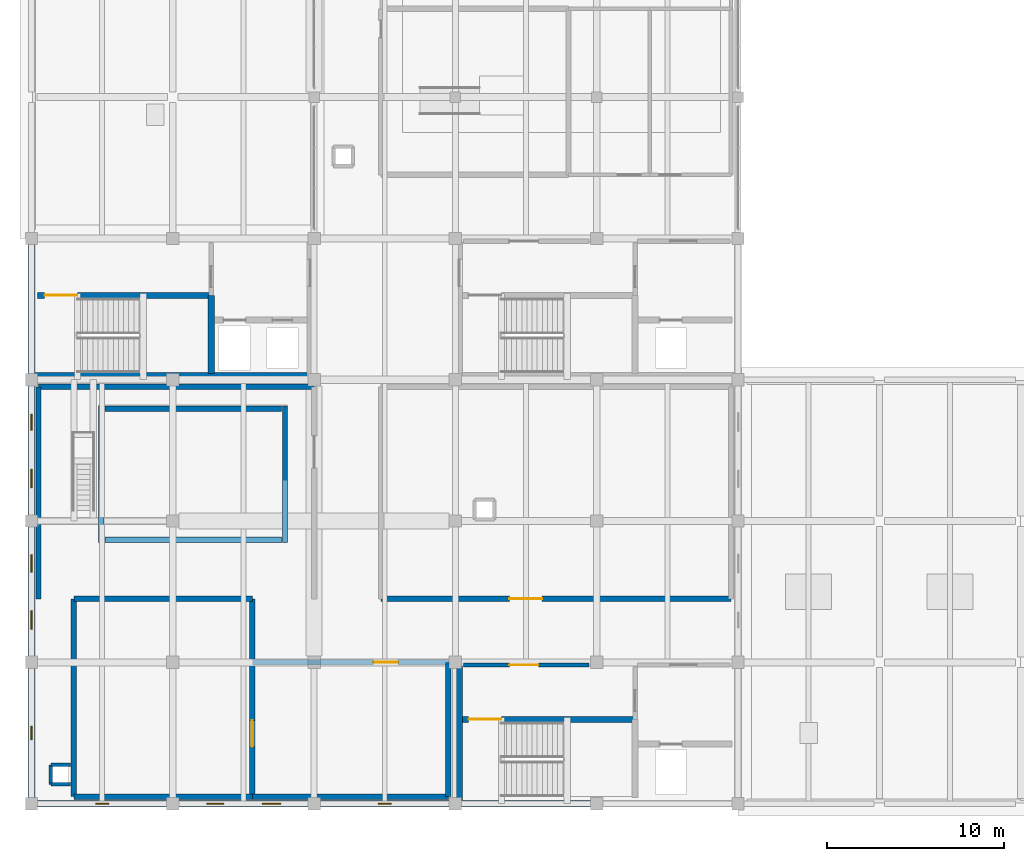
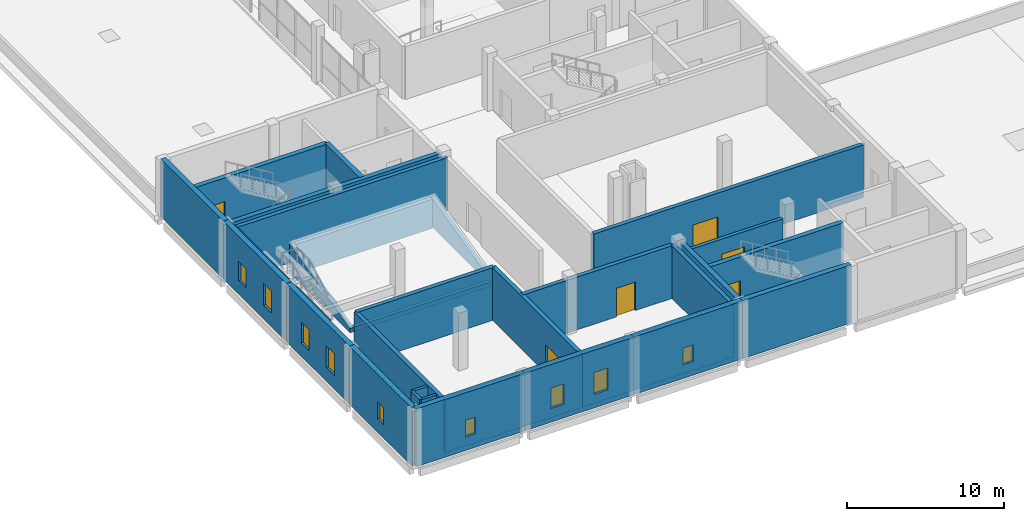
# One storey, part 9 of 14: 31 walls, 9 windows, 6 doors, 15 openings.
"""IFC4 building model written with IfcOpenShell, lengths in metres."""

from ifc_helpers import new_model, si_unit, direction, frame, frame_2d, origin, place, context, subcontext, project, spatial, polyline, rectangle, outline, extrude, material, layer, layer_set, type_object, element, fill, save


model = new_model("IFC4")

# Units and contexts
model_context = context("Model", 3, precision=1e-05, world=origin(), true_north=direction((0.0, 1.0)))
body_context = subcontext(model_context, "Body", "Model", "MODEL_VIEW")
ifc_project = project(units=[si_unit("LENGTHUNIT", "METRE"), si_unit("AREAUNIT", "SQUARE_METRE"), si_unit("VOLUMEUNIT", "CUBIC_METRE"), si_unit("PLANEANGLEUNIT", "RADIAN"), si_unit("MASSUNIT", "GRAM", prefix="KILO")], contexts=[model_context])

# Site, building, storey
site_placement = place(None, origin())
site = spatial("IfcSite", under=ifc_project, at=site_placement, CompositionType="ELEMENT")
building_placement = place(site_placement, origin())
building = spatial("IfcBuilding", under=site, at=building_placement, Name="Qorikala Patio Media Centre", CompositionType="ELEMENT")
storey_placement = place(building_placement, frame((0.0, 0.0, 23.39990234375)))
storey = spatial("IfcBuildingStorey", under=building, at=storey_placement, Name="L05", CompositionType="ELEMENT", Elevation=23.39990234375)

# Walls
ifc_material_1 = material(Name="Concrete C35/45", Category="concrete")
ifc_layer_1 = layer(ifc_material_1, 0.300048828125)
ifc_layer_set_1 = layer_set([ifc_layer_1], Name="Concrete C35/45")
wall_type_1 = type_object("IfcWallType", Name="WL-AC-300", PredefinedType="SHEAR", material=ifc_layer_set_1)
for number, where, z_axis, x_axis, name in (
    (1, (6.949951171875, 17.800048828125, 0.0), (0.0, 0.0, 1.0), (0.0, 1.0, 0.0), "Premiere Cinema Screen 7 Main Raked Seating Tier Raker Cheek Wall W"),
    (2, (17.35009765625, 17.800048828125, 0.0), (0.0, 0.0, 1.0), (0.0, 1.0, 0.0), "Premiere Cinema Screen 7 Main Raked Seating Tier Raker Cheek Wall E"),
):
    element("IfcWall", number, at=place(storey_placement, frame(where, z_axis=z_axis, x_axis=x_axis)), inside=storey, type_object=wall_type_1, Name=name, PredefinedType="SHEAR", context=body_context, shape_type="SweptSolid", body=[
        extrude(outline(polyline([(0.0, 0.0), (7.699951171875, 0.0), (7.699951171875, 2.27001953125), (0.0, 0.320068359375), (0.0, 0.0)])), frame((0.0, 0.14990234375, 0.0), z_axis=(0.0, -1.0, 0.0), x_axis=(1.0, 0.0, 0.0)), (0.0, 0.0, 1.0), 0.300048828125),
    ])
wall_1_placement = place(storey_placement, frame((7.14990234375, 25.35009765625, 0.0), z_axis=(0.0, 0.0, 1.0), x_axis=(1.0, 0.0, 0.0)))
element("IfcWall", 3, at=wall_1_placement, inside=storey, type_object=wall_type_1, Name="Premiere Cinema Screen 7 Main Raked Seating Tier Rear Riser Support Wall", PredefinedType="SHEAR", context=body_context, shape_type="SweptSolid", body=[
    extrude(rectangle(XDim=10.0, YDim=0.300048828125, at=frame_2d((5.0, 0.0))), origin(), (0.0, 0.0, 1.0), 2.27001953125),
])
wall_2_placement = place(storey_placement, frame((7.14990234375, 17.949951171875, 0.0), z_axis=(0.0, 0.0, 1.0), x_axis=(1.0, 0.0, 0.0)))
element("IfcWall", 4, at=wall_2_placement, inside=storey, type_object=wall_type_1, Name="Premiere Cinema Screen 7 Main Raked Seating Tier Front Riser Support Wall", PredefinedType="SHEAR", context=body_context, shape_type="SweptSolid", body=[
    extrude(rectangle(XDim=10.0, YDim=0.300048828125, at=frame_2d((5.0, 0.0))), origin(), (0.0, 0.0, 1.0), 0.320068359375),
])
wall_3_placement = place(storey_placement, frame((5.39990234375, 3.39990234375, 0.0), z_axis=(0.0, 0.0, 1.0), x_axis=(1.0, 0.0, 0.0)))
element("IfcWall", 5, at=wall_3_placement, inside=storey, type_object=wall_type_1, Name="L05 Interior Wall WINT-L05-UTR5-S", PredefinedType="SHEAR", context=body_context, shape_type="SweptSolid", body=[
    extrude(rectangle(XDim=10.10009765625, YDim=0.300048828125, at=frame_2d((5.050048828125, 0.0))), origin(), (0.0, 0.0, 1.0), 4.10009765625),
])

# Wall, opening, door
wall_4_placement = place(storey_placement, frame((15.5, 3.39990234375, 0.0), z_axis=(0.0, 0.0, 1.0), x_axis=(0.0, 1.0, 0.0)))
wall_4 = element("IfcWall", 6, at=wall_4_placement, inside=storey, type_object=wall_type_1, Name="L05 Interior Wall WINT-L05-UTR5-E", PredefinedType="SHEAR", context=body_context, shape_type="SweptSolid", body=[
    extrude(rectangle(XDim=11.2001953125, YDim=0.300048828125, at=frame_2d((5.60009765625, 0.0))), origin(), (0.0, 0.0, 1.0), 4.10009765625),
])
opening_1_placement = place(wall_4_placement, frame((2.81396484375, 0.0, 0.0)))
opening_1 = element("IfcOpeningElement", 7, at=opening_1_placement, cuts=wall_4, Name="Opening D312", PredefinedType="OPENING", context=body_context, shape_type="SweptSolid", body=[
    extrude(rectangle(XDim=1.5, YDim=2.199951171875, at=frame_2d((0.75, 1.10009765625))), frame((0.0, 0.159912109375, 0.0), z_axis=(0.0, -1.0, 0.0), x_axis=(1.0, 0.0, 0.0)), (0.0, 0.0, 1.0), 0.320068359375),
])
ifc_material_2 = material(Name="Powder-Coated Acoustic Fire Steel", Category="steel")
door_type_1 = type_object("IfcDoorType", Name="DR-FD60-150X220", OperationType="DOUBLE_DOOR_SINGLE_SWING", PredefinedType="DOOR", material=ifc_material_2)
door_1_placement = place(opening_1_placement, origin())
door_1 = element("IfcDoor", 8, at=door_1_placement, inside=storey, type_object=door_type_1, Name="Screen 5 Upper Seating Tier Door 101", OperationType="DOUBLE_DOOR_SINGLE_SWING", OverallHeight=2.199951171875, OverallWidth=1.5, PredefinedType="DOOR", context=body_context, shape_type="SweptSolid", body=[
    extrude(rectangle(XDim=1.5, YDim=2.199951171875, at=frame_2d((0.75, 1.10009765625))), frame((0.0, 0.02490234375, 0.0), z_axis=(0.0, -1.0, 0.0), x_axis=(1.0, 0.0, 0.0)), (0.0, 0.0, 1.0), 0.050048828125),
])
fill(opening_1, door_1)

# Walls
wall_5_placement = place(storey_placement, frame((5.39990234375, 14.60009765625, 0.0), z_axis=(0.0, 0.0, 1.0), x_axis=(1.0, 0.0, 0.0)))
element("IfcWall", 9, at=wall_5_placement, inside=storey, type_object=wall_type_1, Name="L05 Interior Wall WINT-L05-UTR5-N", PredefinedType="SHEAR", context=body_context, shape_type="SweptSolid", body=[
    extrude(rectangle(XDim=10.10009765625, YDim=0.300048828125, at=frame_2d((5.050048828125, 0.0))), origin(), (0.0, 0.0, 1.0), 4.10009765625),
])
wall_6_placement = place(storey_placement, frame((5.39990234375, 3.39990234375, 0.0), z_axis=(0.0, 0.0, 1.0), x_axis=(0.0, 1.0, 0.0)))
element("IfcWall", 10, at=wall_6_placement, inside=storey, type_object=wall_type_1, Name="L05 Interior Wall WINT-L05-UTR5-W", PredefinedType="SHEAR", context=body_context, shape_type="SweptSolid", body=[
    extrude(rectangle(XDim=11.2001953125, YDim=0.300048828125, at=frame_2d((5.60009765625, 0.0))), origin(), (0.0, 0.0, 1.0), 4.10009765625),
])
wall_7_placement = place(storey_placement, frame((15.5, 3.39990234375, 0.0), z_axis=(0.0, 0.0, 1.0), x_axis=(1.0, 0.0, 0.0)))
element("IfcWall", 11, at=wall_7_placement, inside=storey, type_object=wall_type_1, Name="L05 Interior Wall WINT-L05-UTR6-S", PredefinedType="SHEAR", context=body_context, shape_type="SweptSolid", body=[
    extrude(rectangle(XDim=11.10009765625, YDim=0.300048828125, at=frame_2d((5.550048828125, 0.0))), origin(), (0.0, 0.0, 1.0), 4.10009765625),
])
wall_8_placement = place(storey_placement, frame((26.60009765625, 3.39990234375, 0.0), z_axis=(0.0, 0.0, 1.0), x_axis=(0.0, 1.0, 0.0)))
element("IfcWall", 12, at=wall_8_placement, inside=storey, type_object=wall_type_1, Name="L05 Interior Wall WINT-L05-UTR6-E", PredefinedType="SHEAR", context=body_context, shape_type="SweptSolid", body=[
    extrude(rectangle(XDim=7.60009765625, YDim=0.300048828125, at=frame_2d((3.800048828125, 0.0))), origin(), (0.0, 0.0, 1.0), 4.10009765625),
])

# Wall, opening, door
wall_9_placement = place(storey_placement, frame((15.5, 11.0, 0.0), z_axis=(0.0, 0.0, 1.0), x_axis=(1.0, 0.0, 0.0)))
wall_9 = element("IfcWall", 13, at=wall_9_placement, inside=storey, type_object=wall_type_1, Name="L05 Interior Wall WINT-L05-UTR6-N", PredefinedType="SHEAR", context=body_context, shape_type="SweptSolid", body=[
    extrude(rectangle(XDim=11.10009765625, YDim=0.300048828125, at=frame_2d((5.550048828125, 0.0))), origin(), (0.0, 0.0, 1.0), 4.10009765625),
])
opening_2_placement = place(wall_9_placement, frame((6.862060546875, 0.0, 0.0)))
opening_2 = element("IfcOpeningElement", 14, at=opening_2_placement, cuts=wall_9, Name="Opening D313", PredefinedType="OPENING", context=body_context, shape_type="SweptSolid", body=[
    extrude(rectangle(XDim=1.39990234375, YDim=2.219970703125, at=frame_2d((0.699951171875, 1.10986328125))), frame((0.0, 0.159912109375, 0.0), z_axis=(0.0, -1.0, 0.0), x_axis=(1.0, 0.0, 0.0)), (0.0, 0.0, 1.0), 0.320068359375),
])
door_type_2 = type_object("IfcDoorType", Name="DR-FD60-140X222", OperationType="DOUBLE_DOOR_SINGLE_SWING", PredefinedType="DOOR", material=ifc_material_2)
door_2_placement = place(opening_2_placement, origin())
door_2 = element("IfcDoor", 15, at=door_2_placement, inside=storey, type_object=door_type_2, Name="Screen 6 Upper Seating Tier Door 102", OperationType="DOUBLE_DOOR_SINGLE_SWING", OverallHeight=2.219970703125, OverallWidth=1.39990234375, PredefinedType="DOOR", context=body_context, shape_type="SweptSolid", body=[
    extrude(rectangle(XDim=1.39990234375, YDim=2.219970703125, at=frame_2d((0.699951171875, 1.10986328125))), frame((0.0, 0.02490234375, 0.0), z_axis=(0.0, -1.0, 0.0), x_axis=(1.0, 0.0, 0.0)), (0.0, 0.0, 1.0), 0.050048828125),
])
fill(opening_2, door_2)

# Walls
wall_10_placement = place(storey_placement, frame((3.39990234375, 26.60009765625, 0.0), z_axis=(0.0, 0.0, 1.0), x_axis=(1.0, 0.0, 0.0)))
element("IfcWall", 16, at=wall_10_placement, inside=storey, type_object=wall_type_1, Name="L05 Interior Wall WINT-L05-SCR7-N", PredefinedType="SHEAR", context=body_context, shape_type="SweptSolid", body=[
    extrude(rectangle(XDim=15.60009765625, YDim=0.300048828125, at=frame_2d((7.800048828125, 0.0))), origin(), (0.0, 0.0, 1.0), 4.10009765625),
])
wall_11_placement = place(storey_placement, frame((3.39990234375, 14.60009765625, 0.0), z_axis=(0.0, 0.0, 1.0), x_axis=(0.0, 1.0, 0.0)))
element("IfcWall", 17, at=wall_11_placement, inside=storey, type_object=wall_type_1, Name="L05 Interior Wall WINT-L05-SCR7-W", PredefinedType="SHEAR", context=body_context, shape_type="SweptSolid", body=[
    extrude(rectangle(XDim=12.0, YDim=0.300048828125, at=frame_2d((6.0, 0.0))), origin(), (0.0, 0.0, 1.0), 4.10009765625),
])

# Wall, opening, door
wall_12_placement = place(storey_placement, frame((22.800048828125, 14.60009765625, 0.0), z_axis=(0.0, 0.0, 1.0), x_axis=(1.0, 0.0, 0.0)))
wall_12 = element("IfcWall", 18, at=wall_12_placement, inside=storey, type_object=wall_type_1, Name="L05 Interior Wall WINT-L05-PRJ5-S", PredefinedType="SHEAR", context=body_context, shape_type="SweptSolid", body=[
    extrude(rectangle(XDim=19.800048828125, YDim=0.300048828125, at=frame_2d((9.89990234375, 0.0))), origin(), (0.0, 0.0, 1.0), 4.10009765625),
])
opening_3_placement = place(wall_12_placement, frame((7.260009765625, 0.0, 0.0)))
opening_3 = element("IfcOpeningElement", 19, at=opening_3_placement, cuts=wall_12, Name="Opening D315", PredefinedType="OPENING", context=body_context, shape_type="SweptSolid", body=[
    extrude(rectangle(XDim=1.85009765625, YDim=2.25, at=frame_2d((0.925048828125, 1.125))), frame((0.0, 0.159912109375, 0.0), z_axis=(0.0, -1.0, 0.0), x_axis=(1.0, 0.0, 0.0)), (0.0, 0.0, 1.0), 0.320068359375),
])
door_type_3 = type_object("IfcDoorType", Name="DR-FD60-185X225", OperationType="DOUBLE_DOOR_SINGLE_SWING", PredefinedType="DOOR", material=ifc_material_2)
door_3_placement = place(opening_3_placement, origin())
door_3 = element("IfcDoor", 20, at=door_3_placement, inside=storey, type_object=door_type_3, Name="Cinema 5 and 6 Projection Booth Door 104", OperationType="DOUBLE_DOOR_SINGLE_SWING", OverallHeight=2.25, OverallWidth=1.85009765625, PredefinedType="DOOR", context=body_context, shape_type="SweptSolid", body=[
    extrude(rectangle(XDim=1.85009765625, YDim=2.25, at=frame_2d((0.925048828125, 1.125))), frame((0.0, 0.02490234375, 0.0), z_axis=(0.0, -1.0, 0.0), x_axis=(1.0, 0.0, 0.0)), (0.0, 0.0, 1.0), 0.050048828125),
])
fill(opening_3, door_3)

# Wall
ifc_layer_2 = layer(ifc_material_1, 0.35009765625)
ifc_layer_set_2 = layer_set([ifc_layer_2], Name="Concrete C35/45")
wall_type_2 = type_object("IfcWallType", Name="WL-CORE-350", PredefinedType="SHEAR", material=ifc_layer_set_2)
wall_13_placement = place(storey_placement, frame((27.22509765625, 3.199951171875, 0.0), z_axis=(0.0, 0.0, 1.0), x_axis=(0.0, 1.0, 0.0)))
element("IfcWall", 21, at=wall_13_placement, inside=storey, type_object=wall_type_2, Name="L05 Interior Wall CW-L05-C1-SW", PredefinedType="SHEAR", context=body_context, shape_type="SweptSolid", body=[
    extrude(rectangle(XDim=7.60009765625, YDim=0.35009765625, at=frame_2d((3.800048828125, 0.0))), origin(), (0.0, 0.0, 1.0), 4.10009765625),
])

# Wall, opening, door
wall_14_placement = place(storey_placement, frame((27.35009765625, 7.77490234375, 0.0), z_axis=(0.0, 0.0, 1.0), x_axis=(1.0, 0.0, 0.0)))
wall_14 = element("IfcWall", 22, at=wall_14_placement, inside=storey, type_object=wall_type_2, Name="L05 Interior Wall CW-L05-C1-SN", PredefinedType="SHEAR", context=body_context, shape_type="SweptSolid", body=[
    extrude(rectangle(XDim=9.824951171875, YDim=0.35009765625, at=frame_2d((4.91259765625, 0.0))), origin(), (0.0, 0.0, 1.0), 4.10009765625),
])
opening_4_placement = place(wall_14_placement, frame((0.39990234375, 0.0, 0.0)))
opening_4 = element("IfcOpeningElement", 23, at=opening_4_placement, cuts=wall_14, Name="Opening D047", PredefinedType="OPENING", context=body_context, shape_type="SweptSolid", body=[
    extrude(rectangle(XDim=1.85009765625, YDim=2.25, at=frame_2d((0.925048828125, 1.125))), frame((0.0, 0.18505859375, 0.0), z_axis=(0.0, -1.0, 0.0), x_axis=(1.0, 0.0, 0.0)), (0.0, 0.0, 1.0), 0.3701171875),
])
door_4_placement = place(opening_4_placement, origin())
door_4 = element("IfcDoor", 24, at=door_4_placement, inside=storey, type_object=door_type_3, Name="L05 Stair ST-1 Fire Door", OperationType="DOUBLE_DOOR_SINGLE_SWING", OverallHeight=2.25, OverallWidth=1.85009765625, PredefinedType="DOOR", context=body_context, shape_type="SweptSolid", body=[
    extrude(rectangle(XDim=1.85009765625, YDim=2.25, at=frame_2d((0.925048828125, 1.125))), frame((0.0, 0.02490234375, 0.0), z_axis=(0.0, -1.0, 0.0), x_axis=(1.0, 0.0, 0.0)), (0.0, 0.0, 1.0), 0.050048828125),
])
fill(opening_4, door_4)

# Walls
wall_15_placement = place(storey_placement, frame((3.199951171875, 27.22509765625, 0.0), z_axis=(0.0, 0.0, 1.0), x_axis=(1.0, 0.0, 0.0)))
element("IfcWall", 25, at=wall_15_placement, inside=storey, type_object=wall_type_2, Name="L05 Core C2 Stair South Wall", PredefinedType="SHEAR", context=body_context, shape_type="SweptSolid", body=[
    extrude(rectangle(XDim=15.60009765625, YDim=0.35009765625, at=frame_2d((7.800048828125, 0.0))), origin(), (0.0, 0.0, 1.0), 4.10009765625),
])
wall_16_placement = place(storey_placement, frame((13.175048828125, 27.35009765625, 0.0), z_axis=(0.0, 0.0, 1.0), x_axis=(0.0, 1.0, 0.0)))
element("IfcWall", 26, at=wall_16_placement, inside=storey, type_object=wall_type_2, Name="L05 Interior Wall CW-L05-C2-SE", PredefinedType="SHEAR", context=body_context, shape_type="SweptSolid", body=[
    extrude(rectangle(XDim=4.4248046875, YDim=0.35009765625, at=frame_2d((2.21240234375, 0.0))), origin(), (0.0, 0.0, 1.0), 4.10009765625),
])

# Wall, opening, door
wall_17_placement = place(storey_placement, frame((3.35009765625, 31.77490234375, 0.0), z_axis=(0.0, 0.0, 1.0), x_axis=(1.0, 0.0, 0.0)))
wall_17 = element("IfcWall", 27, at=wall_17_placement, inside=storey, type_object=wall_type_2, Name="L05 Interior Wall CW-L05-C2-SN", PredefinedType="SHEAR", context=body_context, shape_type="SweptSolid", body=[
    extrude(rectangle(XDim=9.824951171875, YDim=0.35009765625, at=frame_2d((4.91259765625, 0.0))), origin(), (0.0, 0.0, 1.0), 4.10009765625),
])
opening_5_placement = place(wall_17_placement, frame((0.39990234375, 0.0, 0.0)))
opening_5 = element("IfcOpeningElement", 28, at=opening_5_placement, cuts=wall_17, Name="Opening D085", PredefinedType="OPENING", context=body_context, shape_type="SweptSolid", body=[
    extrude(rectangle(XDim=1.85009765625, YDim=2.25, at=frame_2d((0.925048828125, 1.125))), frame((0.0, 0.18505859375, 0.0), z_axis=(0.0, -1.0, 0.0), x_axis=(1.0, 0.0, 0.0)), (0.0, 0.0, 1.0), 0.3701171875),
])
door_5_placement = place(opening_5_placement, origin())
door_5 = element("IfcDoor", 29, at=door_5_placement, inside=storey, type_object=door_type_3, Name="L05 Stair ST-2 Fire Door", OperationType="DOUBLE_DOOR_SINGLE_SWING", OverallHeight=2.25, OverallWidth=1.85009765625, PredefinedType="DOOR", context=body_context, shape_type="SweptSolid", body=[
    extrude(rectangle(XDim=1.85009765625, YDim=2.25, at=frame_2d((0.925048828125, 1.125))), frame((0.0, 0.02490234375, 0.0), z_axis=(0.0, -1.0, 0.0), x_axis=(1.0, 0.0, 0.0)), (0.0, 0.0, 1.0), 0.050048828125),
])
fill(opening_5, door_5)

ifc_layer_3 = layer(ifc_material_1, 0.25)
ifc_layer_set_3 = layer_set([ifc_layer_3], Name="Concrete C35/45")
wall_type_3 = type_object("IfcWallType", Name="WL-FFL-250", PredefinedType="PARTITIONING", material=ifc_layer_set_3)
wall_18_placement = place(storey_placement, frame((27.449951171875, 10.85009765625, 0.0), z_axis=(0.0, 0.0, 1.0), x_axis=(1.0, 0.0, 0.0)))
wall_18 = element("IfcWall", 30, at=wall_18_placement, inside=storey, type_object=wall_type_3, Name="L05 Interior Wall CW-L05-C1-CN1", PredefinedType="PARTITIONING", context=body_context, shape_type="SweptSolid", body=[
    extrude(rectangle(XDim=7.10009765625, YDim=0.25, at=frame_2d((3.550048828125, 0.0))), origin(), (0.0, 0.0, 1.0), 3.43505859375),
])
opening_6_placement = place(wall_18_placement, frame((2.60009765625, 0.0, 0.0)))
opening_6 = element("IfcOpeningElement", 31, at=opening_6_placement, cuts=wall_18, Name="Opening D049", PredefinedType="OPENING", context=body_context, shape_type="SweptSolid", body=[
    extrude(rectangle(XDim=1.64990234375, YDim=2.25, at=frame_2d((0.824951171875, 1.125))), frame((0.0, 0.135009765625, 0.0), z_axis=(0.0, -1.0, 0.0), x_axis=(1.0, 0.0, 0.0)), (0.0, 0.0, 1.0), 0.27001953125),
])
door_type_4 = type_object("IfcDoorType", Name="DR-FD60-165X225", OperationType="DOUBLE_DOOR_SINGLE_SWING", PredefinedType="DOOR", material=ifc_material_2)
door_6_placement = place(opening_6_placement, frame((1.64990234375, 0.0, 0.0), z_axis=(0.0, 0.0, 1.0), x_axis=(-1.0, 0.0, 0.0)))
door_6 = element("IfcDoor", 32, at=door_6_placement, inside=storey, type_object=door_type_4, Name="L05 Core C1 Vestibule Door", OperationType="DOUBLE_DOOR_SINGLE_SWING", OverallHeight=2.25, OverallWidth=1.64990234375, PredefinedType="DOOR", context=body_context, shape_type="SweptSolid", body=[
    extrude(rectangle(XDim=1.64990234375, YDim=2.25, at=frame_2d((0.824951171875, 1.125))), frame((0.0, 0.02490234375, 0.0), z_axis=(0.0, -1.0, 0.0), x_axis=(1.0, 0.0, 0.0)), (0.0, 0.0, 1.0), 0.050048828125),
])
fill(opening_6, door_6)

# Walls
ifc_material_3 = material(Name="Acoustic Masonry and Plaster Concrete C30/37", Category="masonry")
ifc_layer_4 = layer(ifc_material_3, 0.199951171875)
ifc_layer_set_4 = layer_set([ifc_layer_4], Name="Acoustic Masonry and Plaster Concrete C30/37")
wall_type_4 = type_object("IfcWallType", Name="WL-ST-200", PredefinedType="PARTITIONING", material=ifc_layer_set_4)
for number, where, z_axis, x_axis, name in (
    (33, (4.10009765625, 4.10009765625, 0.0), (0.0, 0.0, 1.0), (1.0, 0.0, 0.0), "L05 Interior Wall RSW-1-L05-S"),
    (34, (4.10009765625, 5.199951171875, 0.0), (0.0, 0.0, 1.0), (1.0, 0.0, 0.0), "L05 Interior Wall RSW-1-L05-N"),
    (35, (4.10009765625, 4.10009765625, 0.0), (0.0, 0.0, 1.0), (0.0, 1.0, 0.0), "L05 Interior Wall RSW-1-L05-W"),
):
    element("IfcWall", number, at=place(storey_placement, frame(where, z_axis=z_axis, x_axis=x_axis)), inside=storey, type_object=wall_type_4, Name=name, PredefinedType="PARTITIONING", context=body_context, shape_type="SweptSolid", body=[
        extrude(rectangle(XDim=1.099853515625, YDim=0.199951171875, at=frame_2d((0.5498046875, 0.0))), origin(), (0.0, 0.0, 1.0), 4.10009765625),
    ])

# Wall, opening, window
ifc_material_4 = material(Name="Comanche Granite and Concrete C35/45", Category="masonry")
ifc_layer_5 = layer(ifc_material_4, 0.3798828125)
ifc_layer_set_5 = layer_set([ifc_layer_5], Name="Comanche Granite and Concrete C35/45")
wall_type_5 = type_object("IfcWallType", Name="WL-STONE-380", PredefinedType="SOLIDWALL", material=ifc_layer_set_5)
wall_19_placement = place(storey_placement, frame((3.0, 3.0, 0.0), z_axis=(0.0, 0.0, 1.0), x_axis=(0.0, 1.0, 0.0)))
wall_19 = element("IfcWall", 36, at=wall_19_placement, inside=storey, type_object=wall_type_5, Name="L05 Exterior Wall WL-L05-EXT-0005", PredefinedType="SOLIDWALL", context=body_context, shape_type="SweptSolid", body=[
    extrude(rectangle(XDim=8.0, YDim=0.3798828125, at=frame_2d((4.0, 0.0))), origin(), (0.0, 0.0, 1.0), 4.5),
])
opening_7_placement = place(wall_19_placement, frame((3.625, 0.0, 1.050048828125)))
opening_7 = element("IfcOpeningElement", 37, at=opening_7_placement, cuts=wall_19, Name="Opening WG-075", PredefinedType="OPENING", context=body_context, shape_type="SweptSolid", body=[
    extrude(rectangle(XDim=0.75, YDim=1.300048828125, at=frame_2d((0.375, 0.64990234375))), frame((0.0, 0.199951171875, 0.0), z_axis=(0.0, -1.0, 0.0), x_axis=(1.0, 0.0, 0.0)), (0.0, 0.0, 1.0), 0.39990234375),
])
ifc_material_5 = material(Name="Bronze Anodised Aluminium and Low-E Glass", Category="aluminium")
window_type_1 = type_object("IfcWindowType", Name="WN-GRAD-075X130", PartitioningType="SINGLE_PANEL", PredefinedType="WINDOW", material=ifc_material_5)
window_1_placement = place(opening_7_placement, origin())
window_1 = element("IfcWindow", 38, at=window_1_placement, inside=storey, type_object=window_type_1, Name="L05 Graduated Stone Window 0236", OverallHeight=1.300048828125, OverallWidth=0.75, PartitioningType="SINGLE_PANEL", PredefinedType="WINDOW", context=body_context, shape_type="SweptSolid", body=[
    extrude(rectangle(XDim=0.75, YDim=1.300048828125, at=frame_2d((0.375, 0.64990234375))), frame((0.0, 0.030029296875, 0.0), z_axis=(0.0, -1.0, 0.0), x_axis=(1.0, 0.0, 0.0)), (0.0, 0.0, 1.0), 0.06005859375),
])
fill(opening_7, window_1)

# Wall, openings, windows
wall_20_placement = place(storey_placement, frame((3.0, 11.0, 0.0), z_axis=(0.0, 0.0, 1.0), x_axis=(0.0, 1.0, 0.0)))
wall_20 = element("IfcWall", 39, at=wall_20_placement, inside=storey, type_object=wall_type_5, Name="L05 Exterior Wall WL-L05-EXT-0006", PredefinedType="SOLIDWALL", context=body_context, shape_type="SweptSolid", body=[
    extrude(rectangle(XDim=8.0, YDim=0.3798828125, at=frame_2d((4.0, 0.0))), origin(), (0.0, 0.0, 1.0), 4.5),
])
opening_8_placement = place(wall_20_placement, frame((1.875, 0.0, 1.050048828125)))
opening_8 = element("IfcOpeningElement", 40, at=opening_8_placement, cuts=wall_20, Name="Opening WG-105", PredefinedType="OPENING", context=body_context, shape_type="SweptSolid", body=[
    extrude(rectangle(XDim=1.050048828125, YDim=1.699951171875, at=frame_2d((0.52490234375, 0.85009765625))), frame((0.0, 0.199951171875, 0.0), z_axis=(0.0, -1.0, 0.0), x_axis=(1.0, 0.0, 0.0)), (0.0, 0.0, 1.0), 0.39990234375),
])
opening_9_placement = place(wall_20_placement, frame((5.110107421875, 0.0, 1.050048828125)))
opening_9 = element("IfcOpeningElement", 41, at=opening_9_placement, cuts=wall_20, Name="Opening WG-098", PredefinedType="OPENING", context=body_context, shape_type="SweptSolid", body=[
    extrude(rectangle(XDim=0.97998046875, YDim=1.60009765625, at=frame_2d((0.489990234375, 0.800048828125))), frame((0.0, 0.199951171875, 0.0), z_axis=(0.0, -1.0, 0.0), x_axis=(1.0, 0.0, 0.0)), (0.0, 0.0, 1.0), 0.39990234375),
])
window_type_2 = type_object("IfcWindowType", Name="WN-GRAD-098X160", PartitioningType="SINGLE_PANEL", PredefinedType="WINDOW", material=ifc_material_5)
window_2_placement = place(opening_9_placement, origin())
window_2 = element("IfcWindow", 42, at=window_2_placement, inside=storey, type_object=window_type_2, Name="L05 Graduated Stone Window 0238", OverallHeight=1.60009765625, OverallWidth=0.97998046875, PartitioningType="SINGLE_PANEL", PredefinedType="WINDOW", context=body_context, shape_type="SweptSolid", body=[
    extrude(rectangle(XDim=0.97998046875, YDim=1.60009765625, at=frame_2d((0.489990234375, 0.800048828125))), frame((0.0, 0.030029296875, 0.0), z_axis=(0.0, -1.0, 0.0), x_axis=(1.0, 0.0, 0.0)), (0.0, 0.0, 1.0), 0.06005859375),
])
fill(opening_9, window_2)
window_type_3 = type_object("IfcWindowType", Name="WN-GRAD-105X170", PartitioningType="SINGLE_PANEL", PredefinedType="WINDOW", material=ifc_material_5)
window_3_placement = place(opening_8_placement, origin())
window_3 = element("IfcWindow", 43, at=window_3_placement, inside=storey, type_object=window_type_3, Name="L05 Graduated Stone Window 0237", OverallHeight=1.699951171875, OverallWidth=1.050048828125, PartitioningType="SINGLE_PANEL", PredefinedType="WINDOW", context=body_context, shape_type="SweptSolid", body=[
    extrude(rectangle(XDim=1.050048828125, YDim=1.699951171875, at=frame_2d((0.52490234375, 0.85009765625))), frame((0.0, 0.030029296875, 0.0), z_axis=(0.0, -1.0, 0.0), x_axis=(1.0, 0.0, 0.0)), (0.0, 0.0, 1.0), 0.06005859375),
])
fill(opening_8, window_3)

wall_21_placement = place(storey_placement, frame((3.0, 19.0, 0.0), z_axis=(0.0, 0.0, 1.0), x_axis=(0.0, 1.0, 0.0)))
wall_21 = element("IfcWall", 44, at=wall_21_placement, inside=storey, type_object=wall_type_5, Name="L05 Exterior Wall WL-L05-EXT-0007", PredefinedType="SOLIDWALL", context=body_context, shape_type="SweptSolid", body=[
    extrude(rectangle(XDim=8.0, YDim=0.3798828125, at=frame_2d((4.0, 0.0))), origin(), (0.0, 0.0, 1.0), 4.5),
])
opening_10_placement = place(wall_21_placement, frame((1.875, 0.0, 1.050048828125)))
opening_10 = element("IfcOpeningElement", 45, at=opening_10_placement, cuts=wall_21, Name="Opening WG-105", PredefinedType="OPENING", context=body_context, shape_type="SweptSolid", body=[
    extrude(rectangle(XDim=1.050048828125, YDim=1.699951171875, at=frame_2d((0.52490234375, 0.85009765625))), frame((0.0, 0.199951171875, 0.0), z_axis=(0.0, -1.0, 0.0), x_axis=(1.0, 0.0, 0.0)), (0.0, 0.0, 1.0), 0.39990234375),
])
opening_11_placement = place(wall_21_placement, frame((5.14990234375, 0.0, 1.050048828125)))
opening_11 = element("IfcOpeningElement", 46, at=opening_11_placement, cuts=wall_21, Name="Opening WG-090", PredefinedType="OPENING", context=body_context, shape_type="SweptSolid", body=[
    extrude(rectangle(XDim=0.89990234375, YDim=1.5, at=frame_2d((0.449951171875, 0.75))), frame((0.0, 0.199951171875, 0.0), z_axis=(0.0, -1.0, 0.0), x_axis=(1.0, 0.0, 0.0)), (0.0, 0.0, 1.0), 0.39990234375),
])
window_type_4 = type_object("IfcWindowType", Name="WN-GRAD-090X150", PartitioningType="SINGLE_PANEL", PredefinedType="WINDOW", material=ifc_material_5)
window_4_placement = place(opening_11_placement, origin())
window_4 = element("IfcWindow", 47, at=window_4_placement, inside=storey, type_object=window_type_4, Name="L05 Graduated Stone Window 0240", OverallHeight=1.5, OverallWidth=0.89990234375, PartitioningType="SINGLE_PANEL", PredefinedType="WINDOW", context=body_context, shape_type="SweptSolid", body=[
    extrude(rectangle(XDim=0.89990234375, YDim=1.5, at=frame_2d((0.449951171875, 0.75))), frame((0.0, 0.030029296875, 0.0), z_axis=(0.0, -1.0, 0.0), x_axis=(1.0, 0.0, 0.0)), (0.0, 0.0, 1.0), 0.06005859375),
])
fill(opening_11, window_4)
window_5_placement = place(opening_10_placement, origin())
window_5 = element("IfcWindow", 48, at=window_5_placement, inside=storey, type_object=window_type_3, Name="L05 Graduated Stone Window 0239", OverallHeight=1.699951171875, OverallWidth=1.050048828125, PartitioningType="SINGLE_PANEL", PredefinedType="WINDOW", context=body_context, shape_type="SweptSolid", body=[
    extrude(rectangle(XDim=1.050048828125, YDim=1.699951171875, at=frame_2d((0.52490234375, 0.85009765625))), frame((0.0, 0.030029296875, 0.0), z_axis=(0.0, -1.0, 0.0), x_axis=(1.0, 0.0, 0.0)), (0.0, 0.0, 1.0), 0.06005859375),
])
fill(opening_10, window_5)

# Walls
for number, where, z_axis, x_axis, name in (
    (49, (3.0, 27.0, 0.0), (0.0, 0.0, 1.0), (0.0, 1.0, 0.0), "L05 Core C2 Exterior Shear Wall"),
    (50, (35.0, 3.0, 0.0), (0.0, 0.0, 1.0), (-1.0, 0.0, 0.0), "L05 Core C1 Exterior Shear Wall"),
):
    element("IfcWall", number, at=place(storey_placement, frame(where, z_axis=z_axis, x_axis=x_axis)), inside=storey, type_object=wall_type_5, Name=name, PredefinedType="SOLIDWALL", context=body_context, shape_type="SweptSolid", body=[
        extrude(rectangle(XDim=8.0, YDim=0.3798828125, at=frame_2d((4.0, 0.0))), origin(), (0.0, 0.0, 1.0), 4.5),
    ])

# Wall, opening, window
wall_22_placement = place(storey_placement, frame((27.0, 3.0, 0.0), z_axis=(0.0, 0.0, 1.0), x_axis=(-1.0, 0.0, 0.0)))
wall_22 = element("IfcWall", 51, at=wall_22_placement, inside=storey, type_object=wall_type_5, Name="L05 Exterior Wall WL-L05-EXT-0018", PredefinedType="SOLIDWALL", context=body_context, shape_type="SweptSolid", body=[
    extrude(rectangle(XDim=8.0, YDim=0.3798828125, at=frame_2d((4.0, 0.0))), origin(), (0.0, 0.0, 1.0), 4.5),
])
opening_12_placement = place(wall_22_placement, frame((3.625, 0.0, 1.050048828125)))
opening_12 = element("IfcOpeningElement", 52, at=opening_12_placement, cuts=wall_22, Name="Opening WG-075", PredefinedType="OPENING", context=body_context, shape_type="SweptSolid", body=[
    extrude(rectangle(XDim=0.75, YDim=1.300048828125, at=frame_2d((0.375, 0.64990234375))), frame((0.0, 0.199951171875, 0.0), z_axis=(0.0, -1.0, 0.0), x_axis=(1.0, 0.0, 0.0)), (0.0, 0.0, 1.0), 0.39990234375),
])
window_6_placement = place(opening_12_placement, origin())
window_6 = element("IfcWindow", 53, at=window_6_placement, inside=storey, type_object=window_type_1, Name="L05 Graduated Stone Window 0245", OverallHeight=1.300048828125, OverallWidth=0.75, PartitioningType="SINGLE_PANEL", PredefinedType="WINDOW", context=body_context, shape_type="SweptSolid", body=[
    extrude(rectangle(XDim=0.75, YDim=1.300048828125, at=frame_2d((0.375, 0.64990234375))), frame((0.0, 0.030029296875, 0.0), z_axis=(0.0, -1.0, 0.0), x_axis=(1.0, 0.0, 0.0)), (0.0, 0.0, 1.0), 0.06005859375),
])
fill(opening_12, window_6)

# Wall, openings, windows
wall_23_placement = place(storey_placement, frame((19.0, 3.0, 0.0), z_axis=(0.0, 0.0, 1.0), x_axis=(-1.0, 0.0, 0.0)))
wall_23 = element("IfcWall", 54, at=wall_23_placement, inside=storey, type_object=wall_type_5, Name="L05 Exterior Wall WL-L05-EXT-0019", PredefinedType="SOLIDWALL", context=body_context, shape_type="SweptSolid", body=[
    extrude(rectangle(XDim=8.0, YDim=0.3798828125, at=frame_2d((4.0, 0.0))), origin(), (0.0, 0.0, 1.0), 4.5),
])
opening_13_placement = place(wall_23_placement, frame((1.875, 0.0, 1.050048828125)))
opening_13 = element("IfcOpeningElement", 55, at=opening_13_placement, cuts=wall_23, Name="Opening WG-105", PredefinedType="OPENING", context=body_context, shape_type="SweptSolid", body=[
    extrude(rectangle(XDim=1.050048828125, YDim=1.699951171875, at=frame_2d((0.52490234375, 0.85009765625))), frame((0.0, 0.199951171875, 0.0), z_axis=(0.0, -1.0, 0.0), x_axis=(1.0, 0.0, 0.0)), (0.0, 0.0, 1.0), 0.39990234375),
])
opening_14_placement = place(wall_23_placement, frame((5.110107421875, 0.0, 1.050048828125)))
opening_14 = element("IfcOpeningElement", 56, at=opening_14_placement, cuts=wall_23, Name="Opening WG-098", PredefinedType="OPENING", context=body_context, shape_type="SweptSolid", body=[
    extrude(rectangle(XDim=0.97998046875, YDim=1.60009765625, at=frame_2d((0.489990234375, 0.800048828125))), frame((0.0, 0.199951171875, 0.0), z_axis=(0.0, -1.0, 0.0), x_axis=(1.0, 0.0, 0.0)), (0.0, 0.0, 1.0), 0.39990234375),
])
window_7_placement = place(opening_14_placement, origin())
window_7 = element("IfcWindow", 57, at=window_7_placement, inside=storey, type_object=window_type_2, Name="L05 Graduated Stone Window 0247", OverallHeight=1.60009765625, OverallWidth=0.97998046875, PartitioningType="SINGLE_PANEL", PredefinedType="WINDOW", context=body_context, shape_type="SweptSolid", body=[
    extrude(rectangle(XDim=0.97998046875, YDim=1.60009765625, at=frame_2d((0.489990234375, 0.800048828125))), frame((0.0, 0.030029296875, 0.0), z_axis=(0.0, -1.0, 0.0), x_axis=(1.0, 0.0, 0.0)), (0.0, 0.0, 1.0), 0.06005859375),
])
fill(opening_14, window_7)
window_8_placement = place(opening_13_placement, origin())
window_8 = element("IfcWindow", 58, at=window_8_placement, inside=storey, type_object=window_type_3, Name="L05 Graduated Stone Window 0246", OverallHeight=1.699951171875, OverallWidth=1.050048828125, PartitioningType="SINGLE_PANEL", PredefinedType="WINDOW", context=body_context, shape_type="SweptSolid", body=[
    extrude(rectangle(XDim=1.050048828125, YDim=1.699951171875, at=frame_2d((0.52490234375, 0.85009765625))), frame((0.0, 0.030029296875, 0.0), z_axis=(0.0, -1.0, 0.0), x_axis=(1.0, 0.0, 0.0)), (0.0, 0.0, 1.0), 0.06005859375),
])
fill(opening_13, window_8)

# Wall, opening, window
wall_24_placement = place(storey_placement, frame((11.0, 3.0, 0.0), z_axis=(0.0, 0.0, 1.0), x_axis=(-1.0, 0.0, 0.0)))
wall_24 = element("IfcWall", 59, at=wall_24_placement, inside=storey, type_object=wall_type_5, Name="L05 Exterior Wall WL-L05-EXT-0020", PredefinedType="SOLIDWALL", context=body_context, shape_type="SweptSolid", body=[
    extrude(rectangle(XDim=8.0, YDim=0.3798828125, at=frame_2d((4.0, 0.0))), origin(), (0.0, 0.0, 1.0), 4.5),
])
opening_15_placement = place(wall_24_placement, frame((3.625, 0.0, 1.050048828125)))
opening_15 = element("IfcOpeningElement", 60, at=opening_15_placement, cuts=wall_24, Name="Opening WG-075", PredefinedType="OPENING", context=body_context, shape_type="SweptSolid", body=[
    extrude(rectangle(XDim=0.75, YDim=1.300048828125, at=frame_2d((0.375, 0.64990234375))), frame((0.0, 0.199951171875, 0.0), z_axis=(0.0, -1.0, 0.0), x_axis=(1.0, 0.0, 0.0)), (0.0, 0.0, 1.0), 0.39990234375),
])
window_9_placement = place(opening_15_placement, origin())
window_9 = element("IfcWindow", 61, at=window_9_placement, inside=storey, type_object=window_type_1, Name="L05 Graduated Stone Window 0248", OverallHeight=1.300048828125, OverallWidth=0.75, PartitioningType="SINGLE_PANEL", PredefinedType="WINDOW", context=body_context, shape_type="SweptSolid", body=[
    extrude(rectangle(XDim=0.75, YDim=1.300048828125, at=frame_2d((0.375, 0.64990234375))), frame((0.0, 0.030029296875, 0.0), z_axis=(0.0, -1.0, 0.0), x_axis=(1.0, 0.0, 0.0)), (0.0, 0.0, 1.0), 0.06005859375),
])
fill(opening_15, window_9)

save(model, "model.ifc")
